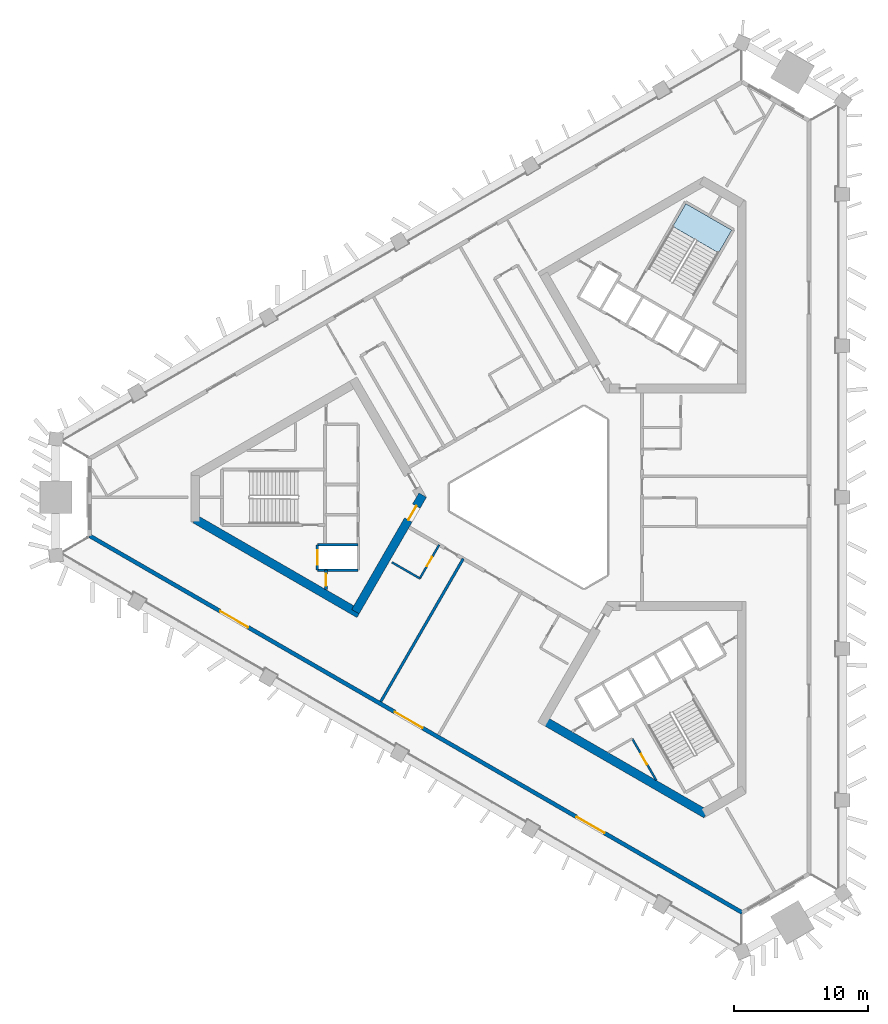
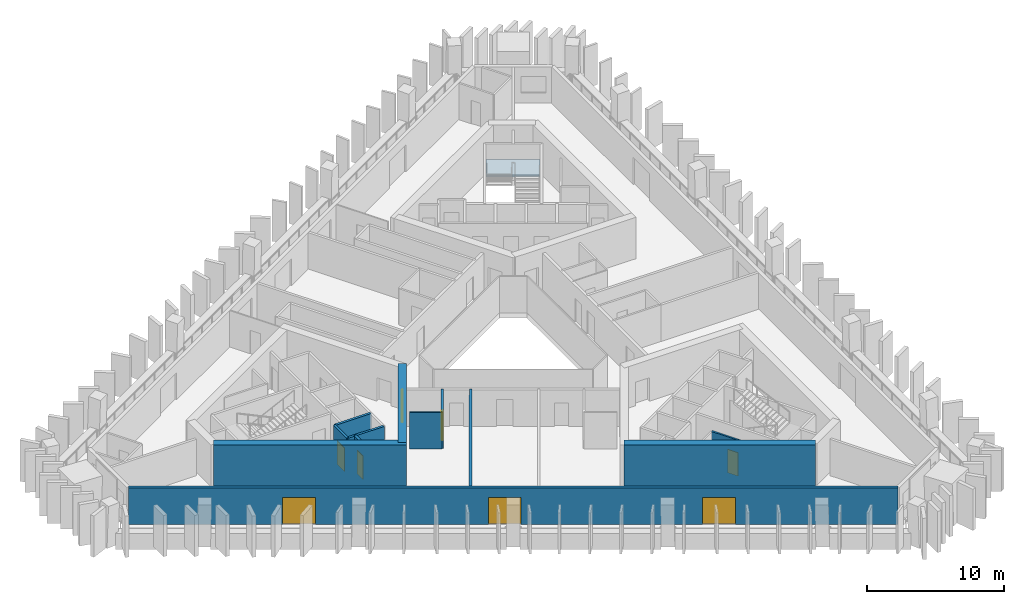
# One storey, part 2 of 10: 12 walls, 8 doors, 1 slab, 8 openings, 1 element without a shape of its own.
"""IFC4 building model written with IfcOpenShell, lengths in metres."""

import ifcopenshell
import ifcopenshell.guid

model = None  # the IFC model being written
_history = None  # IfcOwnerHistory: only IFC2X3 demands one
_inside = {}  # id of a spatial element -> (the spatial element, [elements in it])
_under = {}  # id of a project, library or spatial element -> (it, [spatial elements below it])
_declared = {}  # id of a project -> (the project, [libraries it declares])
_typed = {}  # id of a type object -> (the type object, [elements of that type])
_made_of = {}  # id of a material, layer set ... -> (it, [elements and type objects made of it])


def new_model(schema):
    """Start an empty IFC model of exactly this schema.

    Asked for "IFC4X3", IfcOpenShell would pick the latest addendum, in which some entities
    have other attributes; the version numbers below select the first issue.
    IFC2X3 requires an IfcOwnerHistory on every rooted entity: one is made here for all.
    """
    global model, _history
    if schema == "IFC4X3":
        model = ifcopenshell.file(schema_version=(4, 3, 0, 0))
    else:
        model = ifcopenshell.file(schema=schema)
    _inside.clear()
    _under.clear()
    _declared.clear()
    _typed.clear()
    _made_of.clear()
    _history = None
    if model.schema == "IFC2X3":
        org = make("IfcOrganization", Name="unknown")
        user = make(
            "IfcPersonAndOrganization",
            ThePerson=make("IfcPerson", FamilyName="unknown"),
            TheOrganization=org,
        )
        app = make(
            "IfcApplication",
            ApplicationDeveloper=org,
            Version="unknown",
            ApplicationFullName="unknown",
            ApplicationIdentifier="unknown",
        )
        _history = make(
            "IfcOwnerHistory",
            OwningUser=user,
            OwningApplication=app,
            ChangeAction="ADDED",
            CreationDate=0,
        )
    return model


def make(cls, **values):
    """One entity of the class cls with the attributes given. An attribute that is None is left unset."""
    return model.create_entity(
        cls, **{name: value for name, value in values.items() if value is not None}
    )


def rooted(cls, **values):
    """An entity with a GlobalId (a new one), such as an element, a storey or a relation."""
    return make(cls, GlobalId=ifcopenshell.guid.new(), OwnerHistory=_history, **values)


def si_unit(unit_type, name, prefix=None):
    """IfcSIUnit, for example si_unit("LENGTHUNIT", "METRE", prefix="MILLI")."""
    return make("IfcSIUnit", UnitType=unit_type, Prefix=prefix, Name=name)


def assignment(units):
    """IfcUnitAssignment: the units of a project."""
    return None if units is None else make("IfcUnitAssignment", Units=units)


def point(xyz):
    """IfcCartesianPoint."""
    return None if xyz is None else make("IfcCartesianPoint", Coordinates=xyz)


def direction(xyz):
    """IfcDirection."""
    return None if xyz is None else make("IfcDirection", DirectionRatios=xyz)


def frame(location, z_axis=None, x_axis=None):
    """IfcAxis2Placement3D, a coordinate frame: its origin and axes. An axis left out is left unset."""
    return make(
        "IfcAxis2Placement3D",
        Location=point(location),
        Axis=direction(z_axis),
        RefDirection=direction(x_axis),
    )


def frame_2d(location, x_axis=None):
    """IfcAxis2Placement2D, a coordinate frame in the plane: its origin and x axis."""
    return make(
        "IfcAxis2Placement2D", Location=point(location), RefDirection=direction(x_axis)
    )


def origin():
    """The frame at (0, 0, 0) with its axes left unset."""
    return frame((0.0, 0.0, 0.0))


def place(relative_to, where):
    """IfcLocalPlacement: puts the frame where relative to a parent placement (None: the world)."""
    return make(
        "IfcLocalPlacement", PlacementRelTo=relative_to, RelativePlacement=where
    )


def context(
    kind, dimensions, precision=None, world=None, true_north=None, identifier=None
):
    """IfcGeometricRepresentationContext, for example the 3D "Model" context."""
    return make(
        "IfcGeometricRepresentationContext",
        ContextIdentifier=identifier,
        ContextType=kind,
        CoordinateSpaceDimension=dimensions,
        Precision=precision,
        WorldCoordinateSystem=world,
        TrueNorth=true_north,
    )


def subcontext(parent, identifier, kind, view, scale=None):
    """IfcGeometricRepresentationSubContext, for example "Body" below "Model"."""
    return make(
        "IfcGeometricRepresentationSubContext",
        ContextIdentifier=identifier,
        ContextType=kind,
        ParentContext=parent,
        TargetScale=scale,
        TargetView=view,
    )


def project(units=None, contexts=None):
    """IfcProject with its units and contexts."""
    return rooted(
        "IfcProject",
        Name="project",
        RepresentationContexts=contexts,
        UnitsInContext=assignment(units),
    )


def spatial(cls, under=None, at=None, **own):
    """A site, building, storey or space (cls), placed at a placement, below another one or the project."""
    s = rooted(cls, ObjectPlacement=at, **own)
    if under is not None:
        _under.setdefault(under.id(), (under, []))[1].append(s)
    return s


def polyline(points):
    """IfcPolyline through the points."""
    return make("IfcPolyline", Points=[point(p) for p in points])


def profile(cls, at=None, kind="AREA", **sizes):
    """A parametric profile (cls). Its sizes go by their IFC names, for example OverallWidth=200.0."""
    return make(cls, ProfileType=kind, Position=at, **sizes)


def rectangle(**sizes):
    """IfcRectangleProfileDef."""
    return profile("IfcRectangleProfileDef", **sizes)


def outline(outer, holes=None, kind="AREA"):
    """IfcArbitraryClosedProfileDef: a profile drawn as a closed curve; with holes, ...WithVoids."""
    if holes is None:
        return make("IfcArbitraryClosedProfileDef", ProfileType=kind, OuterCurve=outer)
    return make(
        "IfcArbitraryProfileDefWithVoids",
        ProfileType=kind,
        OuterCurve=outer,
        InnerCurves=holes,
    )


def extrude(swept, where, along, depth):
    """IfcExtrudedAreaSolid: the profile swept, set in the frame where, extruded along a direction by depth."""
    return make(
        "IfcExtrudedAreaSolid",
        SweptArea=swept,
        Position=where,
        ExtrudedDirection=direction(along),
        Depth=depth,
    )


def shape(context_of_items, identifier, shape_type, items):
    """IfcShapeRepresentation: the items that make up one representation, for example the "Body"."""
    return make(
        "IfcShapeRepresentation",
        ContextOfItems=context_of_items,
        RepresentationIdentifier=identifier,
        RepresentationType=shape_type,
        Items=items,
    )


def material(Name=None, Category=None):
    """IfcMaterial."""
    return make("IfcMaterial", Name=Name, Category=Category)


def layer(
    of_material, thickness, ventilated=None, Name=None, Category=None, Priority=None
):
    """IfcMaterialLayer: one layer of a wall or slab, of a material (None: an air gap)."""
    return make(
        "IfcMaterialLayer",
        Material=of_material,
        LayerThickness=thickness,
        IsVentilated=ventilated,
        Name=Name,
        Category=Category,
        Priority=Priority,
    )


def layer_set(layers, Name=None):
    """IfcMaterialLayerSet."""
    return make("IfcMaterialLayerSet", MaterialLayers=layers, LayerSetName=Name)


def made_of(thing, what):
    """Note that an element or type object is made of a material, layer set ...; save() writes the relation."""
    if what is not None:
        _made_of.setdefault(what.id(), (what, []))[1].append(thing)
    return thing


def type_object(cls, material=None, **own):
    """A type object (cls), such as IfcWallType, which elements share."""
    return made_of(rooted(cls, **own), material)


def element(
    cls,
    number,
    at=None,
    inside=None,
    cuts=None,
    type_object=None,
    material=None,
    context=None,
    identifier="Body",
    shape_type=None,
    held_by="IfcProductDefinitionShape",
    body=None,
    shapes=None,
    **own,
):
    """One element of the class cls, such as IfcWall. Its Tag is "e" and its number.

    at: its placement. inside: the storey or other place that contains it. cuts: it is an
    opening in that element (IfcRelVoidsElement). A single representation is given by context,
    identifier, shape_type and body (its items); several are given by shapes. held_by: the class
    of the entity that holds the representations. save() writes the other relations.
    """
    e = rooted(cls, Tag="e%d" % number, ObjectPlacement=at, **own)
    if body is not None:
        shapes = [shape(context, identifier, shape_type, body)]
    if shapes is not None:
        e.Representation = make(held_by, Representations=shapes)
    if inside is not None:
        _inside.setdefault(inside.id(), (inside, []))[1].append(e)
    if cuts is not None:
        rooted(
            "IfcRelVoidsElement", RelatingBuildingElement=cuts, RelatedOpeningElement=e
        )
    if type_object is not None:
        _typed.setdefault(type_object.id(), (type_object, []))[1].append(e)
    return made_of(e, material)


def fill(opening, filler):
    """IfcRelFillsElement: the door or window that sits in an opening."""
    return rooted(
        "IfcRelFillsElement",
        RelatingOpeningElement=opening,
        RelatedBuildingElement=filler,
    )


def aggregate(whole, parts):
    """IfcRelAggregates: a whole, such as a stair, and the parts it consists of."""
    return rooted("IfcRelAggregates", RelatingObject=whole, RelatedObjects=parts)


def save(model, path):
    """Write the relations noted so far, then the file.

    IfcRelAggregates (storeys below a building ...), IfcRelContainedInSpatialStructure (elements
    in a storey), IfcRelDefinesByType, IfcRelAssociatesMaterial and IfcRelDeclares: one each for
    every whole, place, type object, material and project.
    """
    for whole, parts in _under.values():
        aggregate(whole, parts)
    for where, things in _inside.values():
        rooted(
            "IfcRelContainedInSpatialStructure",
            RelatedElements=things,
            RelatingStructure=where,
        )
    for kind, things in _typed.values():
        rooted("IfcRelDefinesByType", RelatedObjects=things, RelatingType=kind)
    for what, things in _made_of.values():
        rooted("IfcRelAssociatesMaterial", RelatedObjects=things, RelatingMaterial=what)
    for by, libraries in _declared.values():
        rooted("IfcRelDeclares", RelatingContext=by, RelatedDefinitions=libraries)
    model.write(path)


model = new_model("IFC4")

# Units and contexts
model_context = context("Model", 3, precision=1e-05, world=origin(), true_north=direction((0.0, 1.0)))
body_context = subcontext(model_context, "Body", "Model", "MODEL_VIEW")
ifc_project = project(units=[si_unit("LENGTHUNIT", "METRE"), si_unit("AREAUNIT", "SQUARE_METRE"), si_unit("VOLUMEUNIT", "CUBIC_METRE"), si_unit("PLANEANGLEUNIT", "RADIAN"), si_unit("MASSUNIT", "GRAM", prefix="KILO")], contexts=[model_context])

# Site, building, storey
site_placement = place(None, origin())
site = spatial("IfcSite", under=ifc_project, at=site_placement, CompositionType="ELEMENT")
building_placement = place(site_placement, origin())
building = spatial("IfcBuilding", under=site, at=building_placement, Name="Jabali Bay Hotel Tower and Convention Centre", CompositionType="ELEMENT")
storey_placement = place(building_placement, frame((0.0, 0.0, 125.300048828125)))
storey = spatial("IfcBuildingStorey", under=building, at=storey_placement, Name="L30", CompositionType="ELEMENT", Elevation=125.300048828125)

# Stair, slab
ifc_material_1 = material(Name="Concrete C40", Category="concrete")
stair_type = type_object("IfcStairType", Name="Exit stair 1900", PredefinedType="HALF_TURN_STAIR", material=ifc_material_1)
stair_placement = place(storey_placement, origin())
stair = element("IfcStair", 1, at=stair_placement, inside=storey, type_object=stair_type, Name="L30 Exit Stair 2", PredefinedType="HALF_TURN_STAIR")
ifc_layer_1 = layer(ifc_material_1, 0.199951171875)
ifc_layer_set_1 = layer_set([ifc_layer_1], Name="Concrete C40")
slab_type = type_object("IfcSlabType", Name="Stair landing 200", PredefinedType="LANDING", material=ifc_layer_set_1)
slab_placement = place(storey_placement, frame((0.0, 0.0, 1.64990234375)))
slab = element("IfcSlab", 2, at=slab_placement, type_object=slab_type, Name="ST2 landing 1", PredefinedType="LANDING", context=body_context, shape_type="SweptSolid", body=[
    extrude(outline(polyline([(87.81884765625, 98.2529296875), (88.80029296875, 99.952880859375), (85.379638671875, 101.927978515625), (84.398193359375, 100.22802734375), (87.81884765625, 98.2529296875)])), origin(), (0.0, 0.0, 1.0), 0.199951171875),
])
aggregate(stair, [slab])

# Wall, opening, door
ifc_layer_2 = layer(ifc_material_1, 0.199951171875)
ifc_layer_set_2 = layer_set([ifc_layer_2], Name="Concrete C40")
wall_type_1 = type_object("IfcWallType", Name="Core partition wall 200", PredefinedType="PARTITIONING", material=ifc_layer_set_2)
wall_1_placement = place(storey_placement, frame((58.5, 74.550048828125, 0.0), z_axis=(0.0, 0.0, 1.0), x_axis=(0.0, -1.0, 0.0)))
wall_1 = element("IfcWall", 3, at=wall_1_placement, inside=storey, type_object=wall_type_1, Name="Core wall 0.11 L30", PredefinedType="PARTITIONING", context=body_context, shape_type="SweptSolid", body=[
    extrude(rectangle(XDim=1.455078125, YDim=0.199951171875, at=frame_2d((0.7275390625, 0.0))), origin(), (0.0, 0.0, 1.0), 3.25),
])
opening_1_placement = place(wall_1_placement, frame((0.277587890625, 0.0, 0.0)))
opening_1 = element("IfcOpeningElement", 4, at=opening_1_placement, cuts=wall_1, Name="Opening D664", PredefinedType="OPENING", context=body_context, shape_type="SweptSolid", body=[
    extrude(rectangle(XDim=0.89990234375, YDim=2.10009765625, at=frame_2d((0.449951171875, 1.050048828125))), frame((0.0, 0.1103515625, 0.0), z_axis=(0.0, -1.0, 0.0), x_axis=(1.0, 0.0, 0.0)), (0.0, 0.0, 1.0), 0.220947265625),
])
ifc_material_2 = material(Name="Fire-rated steel door", Category="steel")
door_type_1 = type_object("IfcDoorType", Name="Vestibule fire door 900 x 2100", OperationType="NOTDEFINED", PredefinedType="NOTDEFINED", material=ifc_material_2)
door_1_placement = place(opening_1_placement, origin())
door_1 = element("IfcDoor", 5, at=door_1_placement, inside=storey, type_object=door_type_1, Name="Vestibule fire door D664", OperationType="SINGLE_SWING_LEFT", OverallHeight=2.10009765625, OverallWidth=0.89990234375, PredefinedType="NOTDEFINED", context=body_context, shape_type="SweptSolid", body=[
    extrude(rectangle(XDim=0.89990234375, YDim=2.10009765625, at=frame_2d((0.449951171875, 1.050048828125))), frame((0.0, 0.02490234375, 0.0), z_axis=(0.0, -1.0, 0.0), x_axis=(1.0, 0.0, 0.0)), (0.0, 0.0, 1.0), 0.050048828125),
])
fill(opening_1, door_1)

ifc_material_3 = material(Name="Fire-rated board partition")
ifc_layer_3 = layer(ifc_material_3, 0.14990234375)
ifc_layer_set_3 = layer_set([ifc_layer_3], Name="Fire-rated board partition")
wall_type_2 = type_object("IfcWallType", Name="Core room partition 150", PredefinedType="PARTITIONING", material=ifc_layer_set_3)
wall_2_placement = place(storey_placement, frame((81.368896484375, 61.96875, 0.0), z_axis=(0.0, 0.0, 1.0), x_axis=(0.499992664208, -0.866029639064, 0.0)))
wall_2 = element("IfcWall", 6, at=wall_2_placement, inside=storey, type_object=wall_type_2, Name="Core wall 2.1 L30", PredefinedType="PARTITIONING", context=body_context, shape_type="SweptSolid", body=[
    extrude(rectangle(XDim=3.59765625, YDim=0.14990234375, at=frame_2d((1.798828125, 0.0))), origin(), (0.0, 0.0, 1.0), 3.25),
])
opening_2_placement = place(wall_2_placement, frame((1.321533203125, 0.0, 0.0)))
opening_2 = element("IfcOpeningElement", 7, at=opening_2_placement, cuts=wall_2, Name="Opening D679", PredefinedType="OPENING", context=body_context, shape_type="SweptSolid", body=[
    extrude(rectangle(XDim=0.89990234375, YDim=2.10009765625, at=frame_2d((0.449951171875, 1.050048828125))), frame((0.0, 0.08544921875, 0.0), z_axis=(0.0, -1.0, 0.0), x_axis=(1.0, 0.0, 0.0)), (0.0, 0.0, 1.0), 0.1708984375),
])
door_type_2 = type_object("IfcDoorType", Name="Core room door 900 x 2100", OperationType="NOTDEFINED", PredefinedType="NOTDEFINED", material=ifc_material_2)
door_2_placement = place(opening_2_placement, origin())
door_2 = element("IfcDoor", 8, at=door_2_placement, inside=storey, type_object=door_type_2, Name="Core room door D679", OperationType="SINGLE_SWING_LEFT", OverallHeight=2.10009765625, OverallWidth=0.89990234375, PredefinedType="NOTDEFINED", context=body_context, shape_type="SweptSolid", body=[
    extrude(rectangle(XDim=0.89990234375, YDim=2.10009765625, at=frame_2d((0.449951171875, 1.050048828125))), frame((0.0, 0.02490234375, 0.0), z_axis=(0.0, -1.0, 0.0), x_axis=(1.0, 0.0, 0.0)), (0.0, 0.0, 1.0), 0.050048828125),
])
fill(opening_2, door_2)

# Walls
ifc_layer_4 = layer(ifc_material_1, 0.199951171875)
ifc_layer_set_4 = layer_set([ifc_layer_4], Name="Concrete C40")
wall_type_3 = type_object("IfcWallType", Name="Core stair wall 200", PredefinedType="SOLIDWALL", material=ifc_layer_set_4)
for number, where, z_axis, x_axis, name in (
    (9, (60.89990234375, 76.449951171875, 0.0), (0.0, 0.0, 1.0), (-1.0, 0.0, 0.0), "Core wall 0.7 L30"),
    (10, (60.89990234375, 74.550048828125, 0.0), (0.0, 0.0, 1.0), (-1.0, 0.0, 0.0), "Core wall 0.8 L30"),
):
    element("IfcWall", number, at=place(storey_placement, frame(where, z_axis=z_axis, x_axis=x_axis)), inside=storey, type_object=wall_type_3, Name=name, PredefinedType="SOLIDWALL", context=body_context, shape_type="SweptSolid", body=[
        extrude(rectangle(XDim=3.0498046875, YDim=0.199951171875, at=frame_2d((1.52490234375, 0.0))), origin(), (0.0, 0.0, 1.0), 3.25),
    ])

# Wall, opening, door
wall_3_placement = place(storey_placement, frame((57.85009765625, 76.449951171875, 0.0), z_axis=(0.0, 0.0, 1.0), x_axis=(0.0, -1.0, 0.0)))
wall_3 = element("IfcWall", 11, at=wall_3_placement, inside=storey, type_object=wall_type_3, Name="Core wall 0.13 L30", PredefinedType="SOLIDWALL", context=body_context, shape_type="SweptSolid", body=[
    extrude(rectangle(XDim=1.89990234375, YDim=0.199951171875, at=frame_2d((0.949951171875, 0.0))), origin(), (0.0, 0.0, 1.0), 3.25),
])
opening_3_placement = place(wall_3_placement, frame((0.39990234375, 0.0, 0.0)))
opening_3 = element("IfcOpeningElement", 12, at=opening_3_placement, cuts=wall_3, Name="Opening LD5-L30", PredefinedType="OPENING", context=body_context, shape_type="SweptSolid", body=[
    extrude(rectangle(XDim=1.10009765625, YDim=2.10009765625, at=frame_2d((0.550048828125, 1.050048828125))), frame((0.0, 0.1103515625, 0.0), z_axis=(0.0, -1.0, 0.0), x_axis=(1.0, 0.0, 0.0)), (0.0, 0.0, 1.0), 0.220947265625),
])
ifc_material_4 = material(Name="Stainless steel landing door", Category="steel")
door_type_3 = type_object("IfcDoorType", Name="Landing door 1100 x 2100", OperationType="NOTDEFINED", PredefinedType="NOTDEFINED", material=ifc_material_4)
door_3_placement = place(opening_3_placement, origin())
door_3 = element("IfcDoor", 13, at=door_3_placement, inside=storey, type_object=door_type_3, Name="Landing doors LD5-L30", OperationType="SLIDING_TO_RIGHT", OverallHeight=2.10009765625, OverallWidth=1.10009765625, PredefinedType="NOTDEFINED", context=body_context, shape_type="SweptSolid", body=[
    extrude(rectangle(XDim=1.10009765625, YDim=2.10009765625, at=frame_2d((0.550048828125, 1.050048828125))), frame((0.0, 0.02490234375, 0.0), z_axis=(0.0, -1.0, 0.0), x_axis=(1.0, 0.0, 0.0)), (0.0, 0.0, 1.0), 0.050048828125),
])
fill(opening_3, door_3)

# Wall
ifc_material_5 = material(Name="Concrete C60", Category="concrete")
ifc_layer_5 = layer(ifc_material_5, 0.64990234375)
ifc_layer_set_5 = layer_set([ifc_layer_5], Name="Concrete C60")
wall_type_4 = type_object("IfcWallType", Name="Core wall 650", PredefinedType="SHEAR", material=ifc_layer_set_5)
wall_4_placement = place(storey_placement, frame((48.721923828125, 78.364990234375, 0.0), z_axis=(0.0, 0.0, 1.0), x_axis=(0.866020036431, -0.500009296414, 0.0)))
element("IfcWall", 14, at=wall_4_placement, inside=storey, type_object=wall_type_4, Name="Core wall 1.4 L30", PredefinedType="SHEAR", context=body_context, shape_type="SweptSolid", body=[
    extrude(rectangle(XDim=14.145751953125, YDim=0.64990234375, at=frame_2d((7.07275390625, 0.0))), origin(), (0.0, 0.0, 1.0), 3.699951171875),
])

# Wall, opening, door
wall_5_placement = place(storey_placement, frame((60.691162109375, 71.45458984375, 0.0), z_axis=(0.0, 0.0, 1.0), x_axis=(0.499983075189, 0.866035175108, 0.0)))
wall_5 = element("IfcWall", 15, at=wall_5_placement, inside=storey, type_object=wall_type_4, Name="Core wall 1.5 L30", PredefinedType="SHEAR", context=body_context, shape_type="SweptSolid", body=[
    extrude(rectangle(XDim=10.054931640625, YDim=0.64990234375, at=frame_2d((5.02734375, 0.0))), origin(), (0.0, 0.0, 1.0), 3.699951171875),
])
opening_4_placement = place(wall_5_placement, frame((7.905029296875, 0.0, 0.0)))
opening_4 = element("IfcOpeningElement", 16, at=opening_4_placement, cuts=wall_5, Name="Opening D660", PredefinedType="OPENING", context=body_context, shape_type="SweptSolid", body=[
    extrude(rectangle(XDim=1.199951171875, YDim=2.10009765625, at=frame_2d((0.60009765625, 1.050048828125))), frame((0.0, 0.33544921875, 0.0), z_axis=(0.0, -1.0, 0.0), x_axis=(1.0, 0.0, 0.0)), (0.0, 0.0, 1.0), 0.6708984375),
])
door_type_4 = type_object("IfcDoorType", Name="Corridor end fire door 1200 x 2100", OperationType="NOTDEFINED", PredefinedType="NOTDEFINED", material=ifc_material_2)
door_4_placement = place(opening_4_placement, origin())
door_4 = element("IfcDoor", 17, at=door_4_placement, inside=storey, type_object=door_type_4, Name="Corridor end fire door D660", OperationType="SINGLE_SWING_LEFT", OverallHeight=2.10009765625, OverallWidth=1.199951171875, PredefinedType="NOTDEFINED", context=body_context, shape_type="SweptSolid", body=[
    extrude(rectangle(XDim=1.199951171875, YDim=2.10009765625, at=frame_2d((0.60009765625, 1.050048828125))), frame((0.0, 0.02490234375, 0.0), z_axis=(0.0, -1.0, 0.0), x_axis=(1.0, 0.0, 0.0)), (0.0, 0.0, 1.0), 0.050048828125),
])
fill(opening_4, door_4)

# Wall
wall_6_placement = place(storey_placement, frame((74.75390625, 63.33544921875, 0.0), z_axis=(0.0, 0.0, 1.0), x_axis=(0.866026250715, -0.49999853307, 0.0)))
element("IfcWall", 18, at=wall_6_placement, inside=storey, type_object=wall_type_4, Name="Core wall 3.2 L30", PredefinedType="SHEAR", context=body_context, shape_type="SweptSolid", body=[
    extrude(rectangle(XDim=14.00830078125, YDim=0.64990234375, at=frame_2d((7.004150390625, 0.0))), origin(), (0.0, 0.0, 1.0), 3.699951171875),
])

# Wall, openings, doors
ifc_layer_6 = layer(ifc_material_1, 0.300048828125)
ifc_layer_set_6 = layer_set([ifc_layer_6], Name="Concrete C40")
wall_type_5 = type_object("IfcWallType", Name="External wall 300", PredefinedType="SOLIDWALL", material=ifc_layer_set_6)
wall_7_placement = place(storey_placement, frame((89.587646484375, 48.973388671875, 0.0), z_axis=(0.0, 0.0, 1.0), x_axis=(-0.866024964069, 0.500000761609, 0.0)))
wall_7 = element("IfcWall", 19, at=wall_7_placement, inside=storey, type_object=wall_type_5, Name="External wall south-west face L30", PredefinedType="SOLIDWALL", context=body_context, shape_type="SweptSolid", body=[
    extrude(rectangle(XDim=56.29345703125, YDim=0.300048828125, at=frame_2d((28.146728515625, 0.0))), origin(), (0.0, 0.0, 1.0), 3.25),
])
opening_5_placement = place(wall_7_placement, frame((42.6220703125, 0.0, 0.0)))
opening_5 = element("IfcOpeningElement", 20, at=opening_5_placement, cuts=wall_7, Name="Opening SD1", PredefinedType="OPENING", context=body_context, shape_type="SweptSolid", body=[
    extrude(rectangle(XDim=2.39990234375, YDim=2.39990234375, at=frame_2d((1.199951171875, 1.199951171875))), frame((0.0, 0.16064453125, 0.0), z_axis=(0.0, -1.0, 0.0), x_axis=(1.0, 0.0, 0.0)), (0.0, 0.0, 1.0), 0.321044921875),
])
opening_6_placement = place(wall_7_placement, frame((11.894775390625, 0.0, 0.0)))
opening_6 = element("IfcOpeningElement", 21, at=opening_6_placement, cuts=wall_7, Name="Opening SD1", PredefinedType="OPENING", context=body_context, shape_type="SweptSolid", body=[
    extrude(rectangle(XDim=2.39990234375, YDim=2.39990234375, at=frame_2d((1.199951171875, 1.199951171875))), frame((0.0, 0.16064453125, 0.0), z_axis=(0.0, -1.0, 0.0), x_axis=(1.0, 0.0, 0.0)), (0.0, 0.0, 1.0), 0.321044921875),
])
opening_7_placement = place(wall_7_placement, frame((27.5703125, 0.0, 0.0)))
opening_7 = element("IfcOpeningElement", 22, at=opening_7_placement, cuts=wall_7, Name="Opening SD1", PredefinedType="OPENING", context=body_context, shape_type="SweptSolid", body=[
    extrude(rectangle(XDim=2.39990234375, YDim=2.39990234375, at=frame_2d((1.199951171875, 1.199951171875))), frame((0.0, 0.16064453125, 0.0), z_axis=(0.0, -1.0, 0.0), x_axis=(1.0, 0.0, 0.0)), (0.0, 0.0, 1.0), 0.321044921875),
])
ifc_material_6 = material(Name="Glass", Category="glass")
door_type_5 = type_object("IfcDoorType", Name="Loggia sliding door 2400 x 2400", OperationType="NOTDEFINED", PredefinedType="NOTDEFINED", material=ifc_material_6)
door_5_placement = place(opening_5_placement, origin())
door_5 = element("IfcDoor", 23, at=door_5_placement, inside=storey, type_object=door_type_5, Name="Loggia sliding door 3009", OperationType="SLIDING_TO_LEFT", OverallHeight=2.39990234375, OverallWidth=2.39990234375, PredefinedType="NOTDEFINED", context=body_context, shape_type="SweptSolid", body=[
    extrude(rectangle(XDim=2.39990234375, YDim=2.39990234375, at=frame_2d((1.199951171875, 1.199951171875))), frame((0.0, 0.02490234375, 0.0), z_axis=(0.0, -1.0, 0.0), x_axis=(1.0, 0.0, 0.0)), (0.0, 0.0, 1.0), 0.050048828125),
])
fill(opening_5, door_5)
door_6_placement = place(opening_6_placement, origin())
door_6 = element("IfcDoor", 24, at=door_6_placement, inside=storey, type_object=door_type_5, Name="Loggia sliding door 3010", OperationType="SLIDING_TO_RIGHT", OverallHeight=2.39990234375, OverallWidth=2.39990234375, PredefinedType="NOTDEFINED", context=body_context, shape_type="SweptSolid", body=[
    extrude(rectangle(XDim=2.39990234375, YDim=2.39990234375, at=frame_2d((1.199951171875, 1.199951171875))), frame((0.0, 0.02490234375, 0.0), z_axis=(0.0, -1.0, 0.0), x_axis=(1.0, 0.0, 0.0)), (0.0, 0.0, 1.0), 0.050048828125),
])
fill(opening_6, door_6)
door_7_placement = place(opening_7_placement, origin())
door_7 = element("IfcDoor", 25, at=door_7_placement, inside=storey, type_object=door_type_5, Name="Loggia sliding door", OperationType="SLIDING_TO_LEFT", OverallHeight=2.39990234375, OverallWidth=2.39990234375, PredefinedType="NOTDEFINED", context=body_context, shape_type="SweptSolid", body=[
    extrude(rectangle(XDim=2.39990234375, YDim=2.39990234375, at=frame_2d((1.199951171875, 1.199951171875))), frame((0.0, 0.02490234375, 0.0), z_axis=(0.0, -1.0, 0.0), x_axis=(1.0, 0.0, 0.0)), (0.0, 0.0, 1.0), 0.050048828125),
])
fill(opening_7, door_7)

# Wall, opening, door
ifc_material_7 = material(Name="Plasterboard on steel stud", Category="steel")
ifc_layer_7 = layer(ifc_material_7, 0.14990234375)
ifc_layer_set_7 = layer_set([ifc_layer_7], Name="Plasterboard on steel stud")
wall_type_6 = type_object("IfcWallType", Name="Partition 150 wet", PredefinedType="PARTITIONING", material=ifc_layer_set_7)
wall_8_placement = place(storey_placement, frame((66.95166015625, 76.4482421875, 0.0), z_axis=(0.0, 0.0, 1.0), x_axis=(-0.499987231761, -0.866032775405, 0.0)))
wall_8 = element("IfcWall", 26, at=wall_8_placement, inside=storey, type_object=wall_type_6, Name="Partition P03 L30 031", PredefinedType="PARTITIONING", context=body_context, shape_type="SweptSolid", body=[
    extrude(rectangle(XDim=2.89990234375, YDim=0.14990234375, at=frame_2d((1.449951171875, 0.0))), origin(), (0.0, 0.0, 1.0), 3.25),
])
opening_8_placement = place(wall_8_placement, frame((1.050048828125, 0.0, 0.0)))
opening_8 = element("IfcOpeningElement", 27, at=opening_8_placement, cuts=wall_8, Name="Opening 3017", PredefinedType="OPENING", context=body_context, shape_type="SweptSolid", body=[
    extrude(rectangle(XDim=0.800048828125, YDim=2.10009765625, at=frame_2d((0.39990234375, 1.050048828125))), frame((0.0, 0.08544921875, 0.0), z_axis=(0.0, -1.0, 0.0), x_axis=(1.0, 0.0, 0.0)), (0.0, 0.0, 1.0), 0.1708984375),
])
ifc_material_8 = material(Name="Timber", Category="wood")
door_type_6 = type_object("IfcDoorType", Name="En-suite door 800 x 2100", OperationType="NOTDEFINED", PredefinedType="NOTDEFINED", material=ifc_material_8)
door_8_placement = place(opening_8_placement, origin())
door_8 = element("IfcDoor", 28, at=door_8_placement, inside=storey, type_object=door_type_6, Name="Door 3017", OperationType="SINGLE_SWING_RIGHT", OverallHeight=2.10009765625, OverallWidth=0.800048828125, PredefinedType="NOTDEFINED", context=body_context, shape_type="SweptSolid", body=[
    extrude(rectangle(XDim=0.800048828125, YDim=2.10009765625, at=frame_2d((0.39990234375, 1.050048828125))), frame((0.0, 0.02490234375, 0.0), z_axis=(0.0, -1.0, 0.0), x_axis=(1.0, 0.0, 0.0)), (0.0, 0.0, 1.0), 0.050048828125),
])
fill(opening_8, door_8)

# Walls
wall_9_placement = place(storey_placement, frame((65.501708984375, 73.936767578125, 0.0), z_axis=(0.0, 0.0, 1.0), x_axis=(-0.865994240961, 0.500053971709, 0.0)))
element("IfcWall", 29, at=wall_9_placement, inside=storey, type_object=wall_type_6, Name="Partition P03 L30 032", PredefinedType="PARTITIONING", context=body_context, shape_type="SweptSolid", body=[
    extrude(rectangle(XDim=2.401123046875, YDim=0.14990234375, at=frame_2d((1.20068359375, 0.0))), origin(), (0.0, 0.0, 1.0), 3.25),
])
ifc_layer_8 = layer(ifc_material_7, 0.199951171875)
ifc_layer_set_8 = layer_set([ifc_layer_8], Name="Plasterboard on steel stud")
wall_type_7 = type_object("IfcWallType", Name="Partition 200 party", PredefinedType="PARTITIONING", material=ifc_layer_set_8)
wall_10_placement = place(storey_placement, frame((62.58642578125, 64.734619140625, 0.0), z_axis=(0.0, 0.0, 1.0), x_axis=(0.500003041772, 0.86602364761, 0.0)))
element("IfcWall", 30, at=wall_10_placement, inside=storey, type_object=wall_type_7, Name="Partition P01 L30 033", PredefinedType="PARTITIONING", context=body_context, shape_type="SweptSolid", body=[
    extrude(rectangle(XDim=12.3271484375, YDim=0.199951171875, at=frame_2d((6.16357421875, 0.0))), origin(), (0.0, 0.0, 1.0), 3.25),
])

save(model, "model.ifc")
